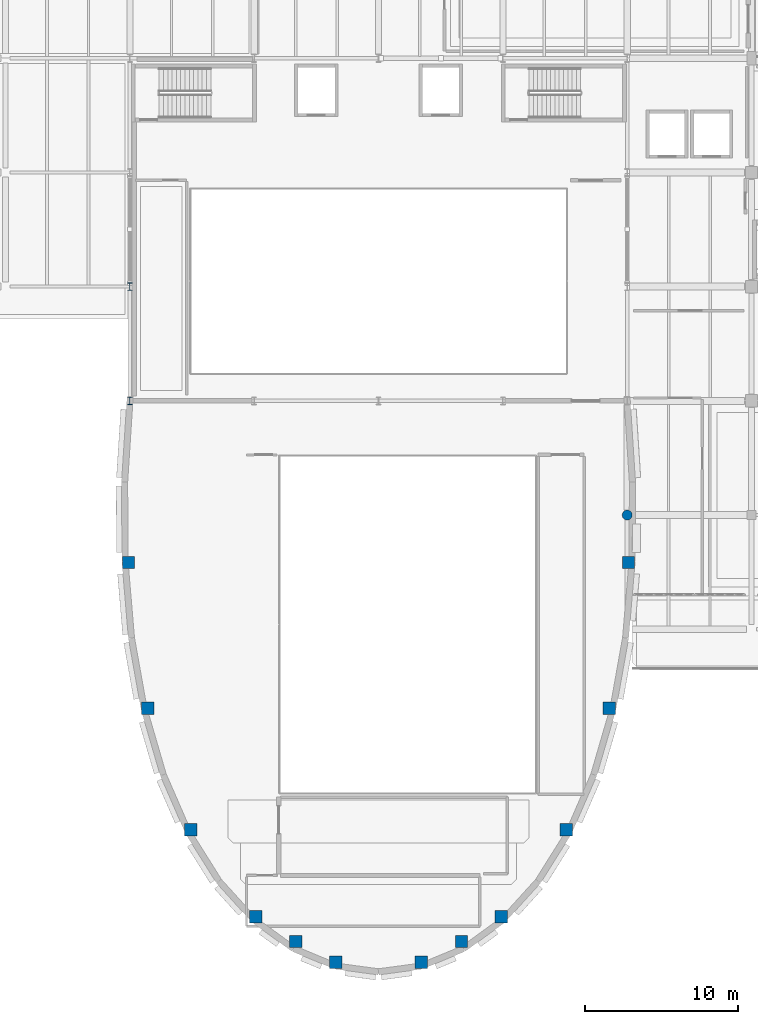
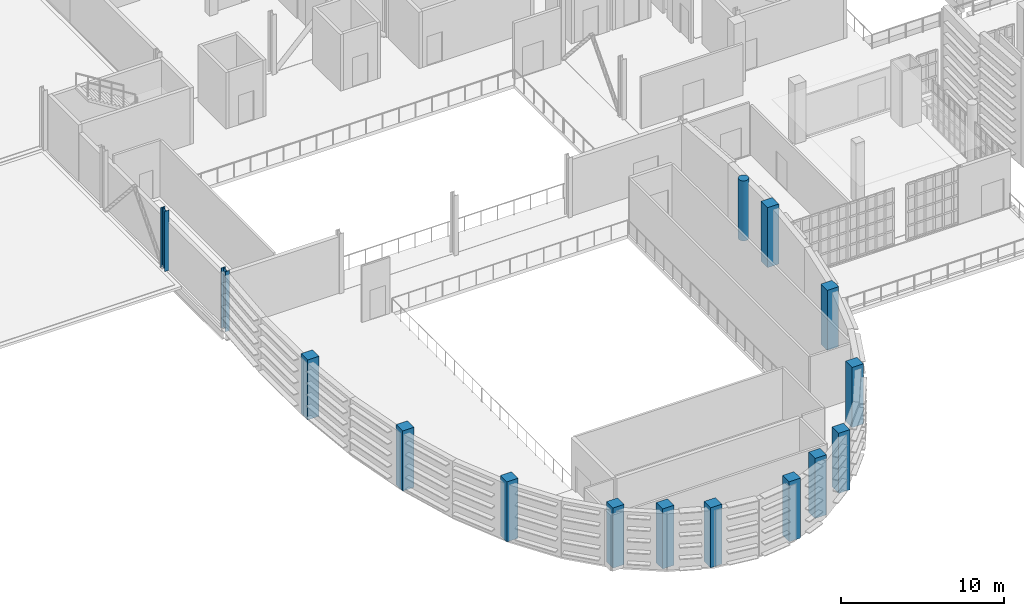
# One storey, part 1 of 73: 15 columns.
"""IFC4 building model written with IfcOpenShell, lengths in metres."""

from ifc_helpers import new_model, si_unit, direction, frame, origin, origin_2d, place, context, subcontext, project, spatial, rectangle, circle, i_section, extrude, material, material_profile, profile_set, type_object, element, save


model = new_model("IFC4")

# Units and contexts
model_context = context("Model", 3, precision=1e-05, world=origin(), true_north=direction((0.0, 1.0)))
body_context = subcontext(model_context, "Body", "Model", "MODEL_VIEW")
ifc_project = project(units=[si_unit("LENGTHUNIT", "METRE"), si_unit("AREAUNIT", "SQUARE_METRE"), si_unit("VOLUMEUNIT", "CUBIC_METRE"), si_unit("PLANEANGLEUNIT", "RADIAN"), si_unit("MASSUNIT", "GRAM", prefix="KILO")], contexts=[model_context])

# Site, building, storey
site_placement = place(None, origin())
site = spatial("IfcSite", under=ifc_project, at=site_placement, CompositionType="ELEMENT")
building_placement = place(site_placement, origin())
building = spatial("IfcBuilding", under=site, at=building_placement, Name="Kaelora Sail Theatre", CompositionType="ELEMENT")
storey_placement = place(building_placement, frame((0.0, 0.0, 10.199951171875)))
storey = spatial("IfcBuildingStorey", under=building, at=storey_placement, Name="L02", CompositionType="ELEMENT", Elevation=10.199951171875)

# Columns
ifc_material_1 = material(Name="Steel S355", Category="steel")
ifc_material_profile_1 = material_profile(ifc_material_1, i_section(OverallWidth=0.300048828125, OverallDepth=0.5, WebThickness=0.014404296875, FlangeThickness=0.028076171875, FilletRadius=0.027099609375, at=origin_2d()), Name="HEB 500")
ifc_profile_set_1 = profile_set([ifc_material_profile_1], Name="Steel S355")
column_type_1 = type_object("IfcColumnType", Name="STR-COL-C-HEB500", PredefinedType="COLUMN", material=ifc_profile_set_1)
for number, where, z_axis, x_axis, name in (
    (1, (25.800048828125, 61.02001953125, 0.0), (0.0, 0.0, 1.0), (1.0, 0.0, 0.0), "Column 4/I (L02)"),
    (2, (25.800048828125, 68.4599609375, 0.0), (0.0, 0.0, 1.0), (1.0, 0.0, 0.0), "Column 4/J (L02)"),
):
    element("IfcColumn", number, at=place(storey_placement, frame(where, z_axis=z_axis, x_axis=x_axis)), inside=storey, type_object=column_type_1, Name=name, PredefinedType="COLUMN", context=body_context, shape_type="SweptSolid", body=[
        extrude(i_section(OverallWidth=0.300048828125, OverallDepth=0.5, WebThickness=0.014404296875, FlangeThickness=0.028076171875, FilletRadius=0.027099609375, at=origin_2d()), origin(), (0.0, 0.0, 1.0), 4.5),
    ])
ifc_material_2 = material(Name="Concrete C50/60", Category="concrete")
ifc_material_profile_2 = material_profile(ifc_material_2, rectangle(XDim=0.800048828125, YDim=0.800048828125, at=origin_2d()), Name="RC-COL 800x800")
ifc_profile_set_2 = profile_set([ifc_material_profile_2], Name="Concrete C50/60")
column_type_2 = type_object("IfcColumnType", Name="STR-COL-C-RC800", PredefinedType="COLUMN", material=ifc_profile_set_2)
for number, where, z_axis, x_axis, name in (
    (3, (58.28369140625, 50.482421875, 0.0), (0.0, 0.0, 1.0), (1.0, 0.0, 0.0), "Main drum perimeter column MK02 (L02)"),
    (4, (57.040283203125, 40.99072265625, 0.0), (0.0, 0.0, 1.0), (1.0, 0.0, 0.0), "Main drum perimeter column MK04 (L02)"),
    (5, (54.228759765625, 33.08349609375, 0.0), (0.0, 0.0, 1.0), (1.0, 0.0, 0.0), "Main drum perimeter column MK06 (L02)"),
    (6, (49.997314453125, 27.403076171875, 0.0), (0.0, 0.0, 1.0), (1.0, 0.0, 0.0), "Main drum perimeter column MK08 (L02)"),
    (7, (44.78271484375, 24.436767578125, 0.0), (0.0, 0.0, 1.0), (1.0, 0.0, 0.0), "Main drum perimeter column MK10 (L02)"),
    (8, (39.21728515625, 24.436767578125, 0.0), (0.0, 0.0, 1.0), (1.0, 0.0, 0.0), "Main drum perimeter column MK12 (L02)"),
    (9, (34.002685546875, 27.403076171875, 0.0), (0.0, 0.0, 1.0), (1.0, 0.0, 0.0), "Main drum perimeter column MK14 (L02)"),
    (10, (29.771240234375, 33.08349609375, 0.0), (0.0, 0.0, 1.0), (1.0, 0.0, 0.0), "Main drum perimeter column MK16 (L02)"),
    (11, (26.959716796875, 40.99072265625, 0.0), (0.0, 0.0, 1.0), (1.0, 0.0, 0.0), "Main drum perimeter column MK18 (L02)"),
    (12, (25.71630859375, 50.482421875, 0.0), (0.0, 0.0, 1.0), (1.0, 0.0, 0.0), "Main drum perimeter column MK20 (L02)"),
    (13, (36.60009765625, 25.800048828125, 0.0), (0.0, 0.0, 1.0), (1.0, 0.0, 0.0), "Main shell prow fulcrum column W (L02)"),
    (14, (47.39990234375, 25.800048828125, 0.0), (0.0, 0.0, 1.0), (1.0, 0.0, 0.0), "Main shell prow fulcrum column E (L02)"),
):
    element("IfcColumn", number, at=place(storey_placement, frame(where, z_axis=z_axis, x_axis=x_axis)), inside=storey, type_object=column_type_2, Name=name, PredefinedType="COLUMN", context=body_context, shape_type="SweptSolid", body=[
        extrude(rectangle(XDim=0.800048828125, YDim=0.800048828125, at=origin_2d()), origin(), (0.0, 0.0, 1.0), 4.5),
    ])
ifc_material_3 = material(Name="Concrete C45/55", Category="concrete")
ifc_material_profile_3 = material_profile(ifc_material_3, circle(Radius=0.324951171875, at=origin_2d()), Name="RC-CCOL D650")
ifc_profile_set_3 = profile_set([ifc_material_profile_3], Name="Concrete C45/55")
column_type_3 = type_object("IfcColumnType", Name="STR-COL-C-RCD650", PredefinedType="COLUMN", material=ifc_profile_set_3)
column_placement = place(storey_placement, frame((58.199951171875, 53.580078125, 0.0), z_axis=(0.0, 0.0, 1.0), x_axis=(1.0, 0.0, 0.0)))
element("IfcColumn", 15, at=column_placement, inside=storey, type_object=column_type_3, Name="Column 8/H (L02)", PredefinedType="COLUMN", context=body_context, shape_type="SweptSolid", body=[
    extrude(circle(Radius=0.324951171875, at=origin_2d()), origin(), (0.0, 0.0, 1.0), 4.5),
])

save(model, "model.ifc")
